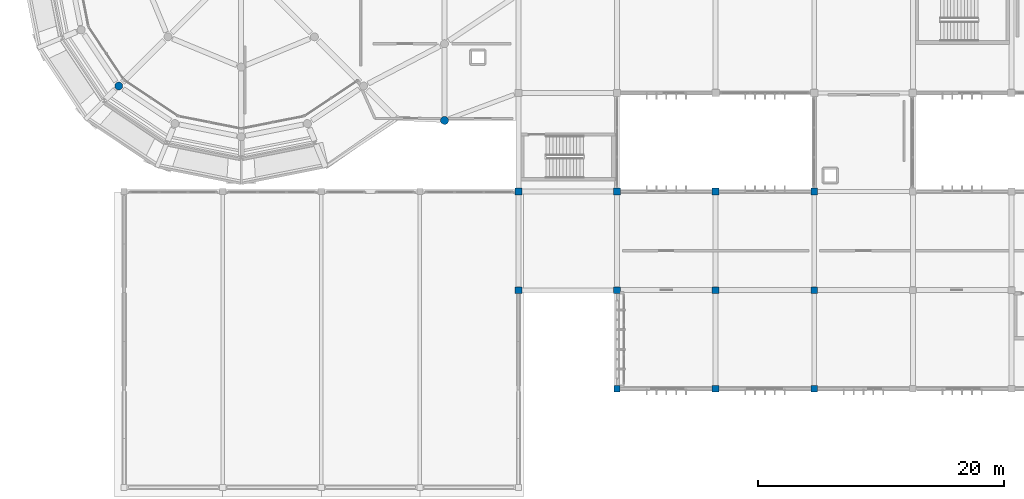
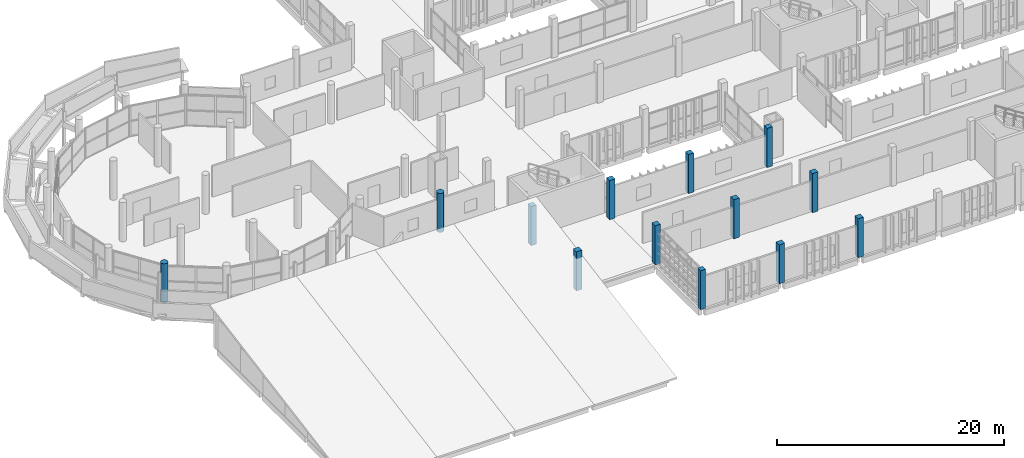
# One storey, part 2 of 83: 13 columns.
"""IFC4 building model written with IfcOpenShell, lengths in metres."""

from ifc_helpers import new_model, si_unit, direction, frame, origin, origin_2d, place, context, subcontext, project, spatial, rectangle, circle, extrude, material, material_profile, profile_set, type_object, element, save


model = new_model("IFC4")

# Units and contexts
model_context = context("Model", 3, precision=1e-05, world=origin(), true_north=direction((0.0, 1.0)))
body_context = subcontext(model_context, "Body", "Model", "MODEL_VIEW")
ifc_project = project(units=[si_unit("LENGTHUNIT", "METRE"), si_unit("AREAUNIT", "SQUARE_METRE"), si_unit("VOLUMEUNIT", "CUBIC_METRE"), si_unit("PLANEANGLEUNIT", "RADIAN"), si_unit("MASSUNIT", "GRAM", prefix="KILO")], contexts=[model_context])

# Site, building, storey
site_placement = place(None, origin())
site = spatial("IfcSite", under=ifc_project, at=site_placement, CompositionType="ELEMENT")
building_placement = place(site_placement, origin())
building = spatial("IfcBuilding", under=site, at=building_placement, Name="Jelvoka-Kovrelna Polytechnic", CompositionType="ELEMENT")
storey_placement = place(building_placement, frame((0.0, 0.0, 13.800048828125)))
storey = spatial("IfcBuildingStorey", under=building, at=storey_placement, Name="L04", CompositionType="ELEMENT", Elevation=13.800048828125)

# Columns
ifc_material_1 = material(Name="Concrete C40/50", Category="concrete")
ifc_material_profile_1 = material_profile(ifc_material_1, rectangle(XDim=0.5, YDim=0.5, at=origin_2d()), Name="RC 500x500")
ifc_profile_set_1 = profile_set([ifc_material_profile_1], Name="Concrete C40/50")
column_type_1 = type_object("IfcColumnType", Name="Col_RC_500", PredefinedType="COLUMN", material=ifc_profile_set_1)
column_placement = place(storey_placement, frame((56.0, 8.0, 0.0), z_axis=(0.0, 0.0, 1.0), x_axis=(1.0, 0.0, 0.0)))
element("IfcColumn", 1, at=column_placement, inside=storey, type_object=column_type_1, Name="L04 column 0096", PredefinedType="COLUMN", context=body_context, shape_type="SweptSolid", body=[
    extrude(rectangle(XDim=0.5, YDim=0.5, at=origin_2d()), origin(), (0.0, 0.0, 1.0), 4.199951171875),
])
ifc_material_2 = material(Name="Concrete C40/50", Category="concrete")
ifc_material_profile_2 = material_profile(ifc_material_2, rectangle(XDim=0.550048828125, YDim=0.550048828125, at=origin_2d()), Name="RC 550x550")
ifc_profile_set_2 = profile_set([ifc_material_profile_2], Name="Concrete C40/50")
column_type_2 = type_object("IfcColumnType", Name="Col_RC_550", PredefinedType="COLUMN", material=ifc_profile_set_2)
for number, where, z_axis, x_axis, name in (
    (2, (64.0, 8.0, 0.0), (0.0, 0.0, 1.0), (1.0, 0.0, 0.0), "L04 column 0101"),
    (3, (72.0, 8.0, 0.0), (0.0, 0.0, 1.0), (1.0, 0.0, 0.0), "L04 column 0107"),
    (4, (48.0, 16.0, 0.0), (0.0, 0.0, 1.0), (1.0, 0.0, 0.0), "L04 column 0190"),
    (5, (56.0, 16.0, 0.0), (0.0, 0.0, 1.0), (1.0, 0.0, 0.0), "L04 column 0196"),
    (6, (64.0, 16.0, 0.0), (0.0, 0.0, 1.0), (1.0, 0.0, 0.0), "L04 column 0202"),
    (7, (72.0, 16.0, 0.0), (0.0, 0.0, 1.0), (1.0, 0.0, 0.0), "L04 column 0208"),
    (8, (48.0, 24.0, 0.0), (0.0, 0.0, 1.0), (1.0, 0.0, 0.0), "L04 column 0315"),
    (9, (56.0, 24.0, 0.0), (0.0, 0.0, 1.0), (1.0, 0.0, 0.0), "L04 column 0321"),
    (10, (64.0, 24.0, 0.0), (0.0, 0.0, 1.0), (1.0, 0.0, 0.0), "L04 column 0327"),
    (11, (72.0, 24.0, 0.0), (0.0, 0.0, 1.0), (1.0, 0.0, 0.0), "L04 column 0333"),
):
    element("IfcColumn", number, at=place(storey_placement, frame(where, z_axis=z_axis, x_axis=x_axis)), inside=storey, type_object=column_type_2, Name=name, PredefinedType="COLUMN", context=body_context, shape_type="SweptSolid", body=[
        extrude(rectangle(XDim=0.550048828125, YDim=0.550048828125, at=origin_2d()), origin(), (0.0, 0.0, 1.0), 4.199951171875),
    ])
ifc_material_3 = material(Name="Concrete C40/50", Category="concrete")
ifc_material_profile_3 = material_profile(ifc_material_3, circle(Radius=0.324951171875, at=origin_2d()), Name="RC D650")
ifc_profile_set_3 = profile_set([ifc_material_profile_3], Name="Concrete C40/50")
column_type_3 = type_object("IfcColumnType", Name="Col_RC_D650", PredefinedType="COLUMN", material=ifc_profile_set_3)
for number, where, z_axis, x_axis, name in (
    (12, (42.0, 29.772216796875, 0.0), (0.0, 0.0, 1.0), (1.0, 0.0, 0.0), "L04 column 0430"),
    (13, (15.565185546875, 32.565185546875, 0.0), (0.0, 0.0, 1.0), (1.0, 0.0, 0.0), "L04 column 0576"),
):
    element("IfcColumn", number, at=place(storey_placement, frame(where, z_axis=z_axis, x_axis=x_axis)), inside=storey, type_object=column_type_3, Name=name, PredefinedType="COLUMN", context=body_context, shape_type="SweptSolid", body=[
        extrude(circle(Radius=0.324951171875, at=origin_2d()), origin(), (0.0, 0.0, 1.0), 4.199951171875),
    ])

save(model, "model.ifc")
